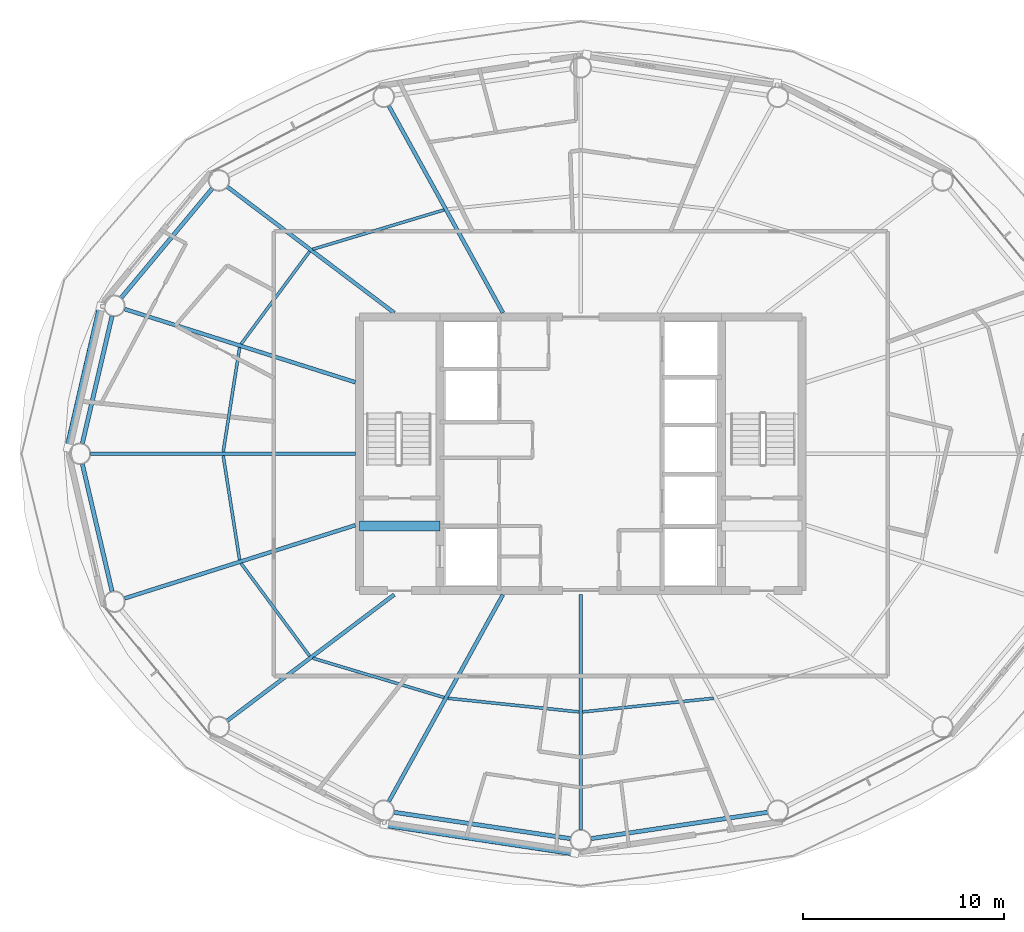
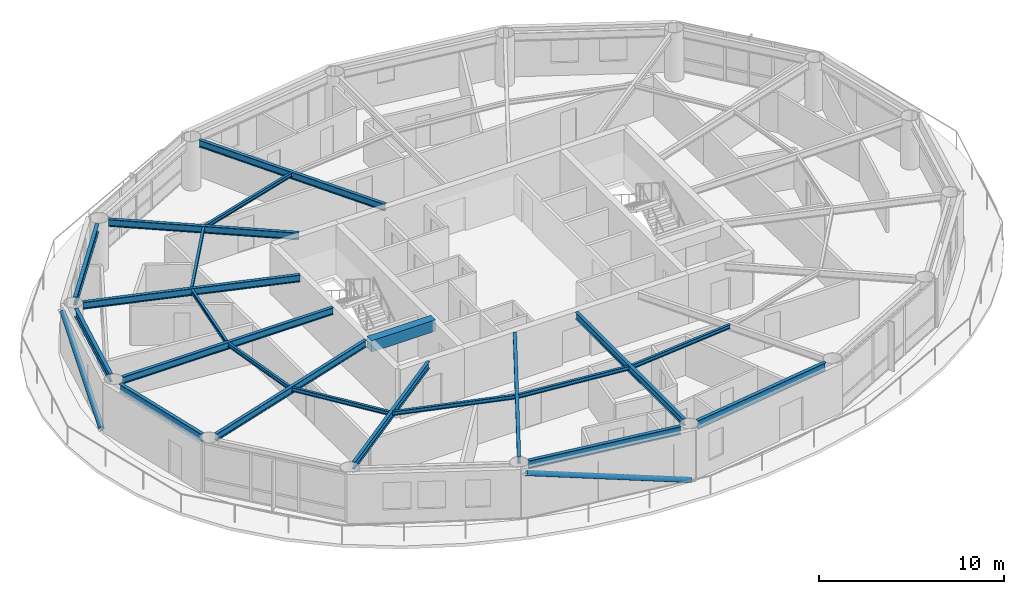
# One storey, part 4 of 24: 22 beams, 2 members.
"""IFC4 building model written with IfcOpenShell, lengths in metres."""

from ifc_helpers import new_model, si_unit, direction, frame, origin, origin_2d, place, context, subcontext, project, spatial, rectangle, hollow_circle, i_section, extrude, material, material_profile, profile_set, type_object, element, save


model = new_model("IFC4")

# Units and contexts
model_context = context("Model", 3, precision=1e-05, world=origin(), true_north=direction((0.0, 1.0)))
body_context = subcontext(model_context, "Body", "Model", "MODEL_VIEW")
ifc_project = project(units=[si_unit("LENGTHUNIT", "METRE"), si_unit("AREAUNIT", "SQUARE_METRE"), si_unit("VOLUMEUNIT", "CUBIC_METRE"), si_unit("PLANEANGLEUNIT", "RADIAN"), si_unit("MASSUNIT", "GRAM", prefix="KILO")], contexts=[model_context])

# Site, building, storey
site_placement = place(None, origin())
site = spatial("IfcSite", under=ifc_project, at=site_placement, CompositionType="ELEMENT")
building_placement = place(site_placement, origin())
building = spatial("IfcBuilding", under=site, at=building_placement, Name="Sarneth Arch Tower", CompositionType="ELEMENT")
storey_placement = place(building_placement, frame((0.0, 0.0, 253.199951171875)))
storey = spatial("IfcBuildingStorey", under=building, at=storey_placement, Name="L65", CompositionType="ELEMENT", Elevation=253.199951171875)

# Beams
ifc_material_1 = material(Name="Steel S355", Category="steel")
ifc_material_profile_1 = material_profile(ifc_material_1, i_section(OverallWidth=0.14794921875, OverallDepth=0.26611328125, WebThickness=0.007568359375, FlangeThickness=0.012939453125, FilletRadius=0.012939453125, at=origin_2d()), Name="W250x44.8")
ifc_profile_set_1 = profile_set([ifc_material_profile_1], Name="Steel S355")
beam_type_1 = type_object("IfcBeamType", Name="BM-JOIST-250", PredefinedType="JOIST", material=ifc_profile_set_1)
beam_1_placement = place(storey_placement, frame((41.20751953125, 54.11181640625, 3.116943359375), z_axis=(-0.957984908347, -0.286818610589, 0.0), x_axis=(0.286818610589, -0.957984908347, 0.0)))
element("IfcBeam", 1, at=beam_1_placement, inside=storey, type_object=beam_type_1, Name="L65 Secondary floor joist 06", PredefinedType="JOIST", context=body_context, shape_type="SweptSolid", body=[
    extrude(i_section(OverallWidth=0.14794921875, OverallDepth=0.26611328125, WebThickness=0.007568359375, FlangeThickness=0.012939453125, FilletRadius=0.012939453125, at=origin_2d()), origin(), (0.0, 0.0, 1.0), 6.81396484375),
])
beam_2_placement = place(storey_placement, frame((34.53076171875, 52.052734375, 3.116943359375), z_axis=(-0.594853468946, -0.803834156081, 0.0), x_axis=(0.803834156081, -0.594853468946, 0.0)))
element("IfcBeam", 2, at=beam_2_placement, inside=storey, type_object=beam_type_1, Name="L65 Secondary floor joist 07", PredefinedType="JOIST", context=body_context, shape_type="SweptSolid", body=[
    extrude(i_section(OverallWidth=0.14794921875, OverallDepth=0.26611328125, WebThickness=0.007568359375, FlangeThickness=0.012939453125, FilletRadius=0.012939453125, at=origin_2d()), origin(), (0.0, 0.0, 1.0), 5.72900390625),
])
for number, where, z_axis, x_axis, name in (
    (3, (31.05078125, 47.275390625, 3.116943359375), (-0.155393595615, -0.987852635995, 0.0), (0.987852635995, -0.155393595615, 0.0), "L65 Secondary floor joist 08"),
    (4, (30.23583984375, 41.9052734375, 3.116943359375), (0.155393595615, -0.987852635995, 0.0), (0.987852635995, 0.155393595615, 0.0), "L65 Secondary floor joist 09"),
):
    element("IfcBeam", number, at=place(storey_placement, frame(where, z_axis=z_axis, x_axis=x_axis)), inside=storey, type_object=beam_type_1, Name=name, PredefinedType="JOIST", context=body_context, shape_type="SweptSolid", body=[
        extrude(i_section(OverallWidth=0.14794921875, OverallDepth=0.26611328125, WebThickness=0.007568359375, FlangeThickness=0.012939453125, FilletRadius=0.012939453125, at=origin_2d()), origin(), (0.0, 0.0, 1.0), 5.244384765625),
    ])
beam_3_placement = place(storey_placement, frame((31.122802734375, 36.552490234375, 3.116943359375), z_axis=(0.594853468946, -0.803834156081, 0.0), x_axis=(0.803834156081, 0.594853468946, 0.0)))
element("IfcBeam", 5, at=beam_3_placement, inside=storey, type_object=beam_type_1, Name="L65 Secondary floor joist 10", PredefinedType="JOIST", context=body_context, shape_type="SweptSolid", body=[
    extrude(i_section(OverallWidth=0.14794921875, OverallDepth=0.26611328125, WebThickness=0.007568359375, FlangeThickness=0.012939453125, FilletRadius=0.012939453125, at=origin_2d()), origin(), (0.0, 0.0, 1.0), 5.72900390625),
])
beam_4_placement = place(storey_placement, frame((34.679931640625, 31.842529296875, 3.116943359375), z_axis=(0.957984908347, -0.286818610589, 0.0), x_axis=(0.286818610589, 0.957984908347, 0.0)))
element("IfcBeam", 6, at=beam_4_placement, inside=storey, type_object=beam_type_1, Name="L65 Secondary floor joist 11", PredefinedType="JOIST", context=body_context, shape_type="SweptSolid", body=[
    extrude(i_section(OverallWidth=0.14794921875, OverallDepth=0.26611328125, WebThickness=0.007568359375, FlangeThickness=0.012939453125, FilletRadius=0.012939453125, at=origin_2d()), origin(), (0.0, 0.0, 1.0), 6.81396484375),
])
for number, where, z_axis, x_axis, name in (
    (7, (41.39501953125, 29.8505859375, 3.116943359375), (0.994616086198, -0.103628379682, 0.0), (0.103628379682, 0.994616086198, 0.0), "L65 Secondary floor joist 12"),
    (8, (48.095458984375, 29.17236328125, 3.116943359375), (0.994616086198, 0.103628379682, 0.0), (-0.103628379682, 0.994616086198, 0.0), "L65 Secondary floor joist 13"),
):
    element("IfcBeam", number, at=place(storey_placement, frame(where, z_axis=z_axis, x_axis=x_axis)), inside=storey, type_object=beam_type_1, Name=name, PredefinedType="JOIST", context=body_context, shape_type="SweptSolid", body=[
        extrude(i_section(OverallWidth=0.14794921875, OverallDepth=0.26611328125, WebThickness=0.007568359375, FlangeThickness=0.012939453125, FilletRadius=0.012939453125, at=origin_2d()), origin(), (0.0, 0.0, 1.0), 6.544677734375),
    ])
ifc_material_2 = material(Name="Concrete C50/60", Category="concrete")
ifc_material_profile_2 = material_profile(ifc_material_2, rectangle(XDim=0.5, YDim=0.75, at=origin_2d()), Name="RC-500x750")
ifc_profile_set_2 = profile_set([ifc_material_profile_2], Name="Concrete C50/60")
beam_type_2 = type_object("IfcBeamType", Name="BM-LINTEL-RC", PredefinedType="LINTEL", material=ifc_profile_set_2)
beam_5_placement = place(storey_placement, frame((37.0, 38.39990234375, 2.875), z_axis=(1.0, 0.0, 0.0), x_axis=(0.0, 1.0, 0.0)))
element("IfcBeam", 9, at=beam_5_placement, inside=storey, type_object=beam_type_2, Name="L65 Core coupling lintel W", PredefinedType="LINTEL", context=body_context, shape_type="SweptSolid", body=[
    extrude(rectangle(XDim=0.5, YDim=0.75, at=origin_2d()), origin(), (0.0, 0.0, 1.0), 4.0),
])
ifc_material_3 = material(Name="Steel S355", Category="steel")
ifc_material_profile_3 = material_profile(ifc_material_3, i_section(OverallWidth=0.19189453125, OverallDepth=0.462890625, WebThickness=0.010498046875, FlangeThickness=0.017578125, FilletRadius=0.01806640625, at=origin_2d()), Name="W460x89")
ifc_profile_set_3 = profile_set([ifc_material_profile_3], Name="Steel S355")
beam_type_3 = type_object("IfcBeamType", Name="BM-RAD-460B", PredefinedType="BEAM", material=ifc_profile_set_3)
beam_6_placement = place(storey_placement, frame((44.13623046875, 49.0, 3.0185546875), z_axis=(-0.483225760768, 0.875495781903, 0.0), x_axis=(-0.875495781903, -0.483225760768, 0.0)))
element("IfcBeam", 10, at=beam_6_placement, inside=storey, type_object=beam_type_3, Name="L65 Radial floor girder 06", PredefinedType="BEAM", context=body_context, shape_type="SweptSolid", body=[
    extrude(i_section(OverallWidth=0.19189453125, OverallDepth=0.462890625, WebThickness=0.010498046875, FlangeThickness=0.017578125, FilletRadius=0.01806640625, at=origin_2d()), origin(), (0.0, 0.0, 1.0), 11.740478515625),
])
beam_7_placement = place(storey_placement, frame((38.73193359375, 49.0, 3.0185546875), z_axis=(-0.79797308069, 0.60269309146, 0.0), x_axis=(-0.60269309146, -0.79797308069, 0.0)))
element("IfcBeam", 11, at=beam_7_placement, inside=storey, type_object=beam_type_3, Name="L65 Radial floor girder 07", PredefinedType="BEAM", context=body_context, shape_type="SweptSolid", body=[
    extrude(i_section(OverallWidth=0.19189453125, OverallDepth=0.462890625, WebThickness=0.010498046875, FlangeThickness=0.017578125, FilletRadius=0.01806640625, at=origin_2d()), origin(), (0.0, 0.0, 1.0), 10.38671875),
])
beam_8_placement = place(storey_placement, frame((36.800048828125, 45.5517578125, 3.0185546875), z_axis=(-0.953216092177, 0.302289731243, 0.0), x_axis=(-0.302289731243, -0.953216092177, 0.0)))
element("IfcBeam", 12, at=beam_8_placement, inside=storey, type_object=beam_type_3, Name="L65 Radial floor girder 08", PredefinedType="BEAM", context=body_context, shape_type="SweptSolid", body=[
    extrude(i_section(OverallWidth=0.19189453125, OverallDepth=0.462890625, WebThickness=0.010498046875, FlangeThickness=0.017578125, FilletRadius=0.01806640625, at=origin_2d()), origin(), (0.0, 0.0, 1.0), 12.031494140625),
])
beam_9_placement = place(storey_placement, frame((36.800048828125, 42.0, 3.0185546875), z_axis=(-1.0, 0.0, 0.0), x_axis=(0.0, -1.0, 0.0)))
element("IfcBeam", 13, at=beam_9_placement, inside=storey, type_object=beam_type_3, Name="L65 Radial floor girder 09", PredefinedType="BEAM", context=body_context, shape_type="SweptSolid", body=[
    extrude(i_section(OverallWidth=0.19189453125, OverallDepth=0.462890625, WebThickness=0.010498046875, FlangeThickness=0.017578125, FilletRadius=0.01806640625, at=origin_2d()), origin(), (0.0, 0.0, 1.0), 13.158203125),
])
beam_10_placement = place(storey_placement, frame((36.800048828125, 38.4482421875, 3.0185546875), z_axis=(-0.953216092177, -0.302289731243, 0.0), x_axis=(0.302289731243, -0.953216092177, 0.0)))
element("IfcBeam", 14, at=beam_10_placement, inside=storey, type_object=beam_type_3, Name="L65 Radial floor girder 10", PredefinedType="BEAM", context=body_context, shape_type="SweptSolid", body=[
    extrude(i_section(OverallWidth=0.19189453125, OverallDepth=0.462890625, WebThickness=0.010498046875, FlangeThickness=0.017578125, FilletRadius=0.01806640625, at=origin_2d()), origin(), (0.0, 0.0, 1.0), 12.031494140625),
])
beam_11_placement = place(storey_placement, frame((38.73193359375, 35.0, 3.0185546875), z_axis=(-0.79797308069, -0.60269309146, 0.0), x_axis=(0.60269309146, -0.79797308069, 0.0)))
element("IfcBeam", 15, at=beam_11_placement, inside=storey, type_object=beam_type_3, Name="L65 Radial floor girder 11", PredefinedType="BEAM", context=body_context, shape_type="SweptSolid", body=[
    extrude(i_section(OverallWidth=0.19189453125, OverallDepth=0.462890625, WebThickness=0.010498046875, FlangeThickness=0.017578125, FilletRadius=0.01806640625, at=origin_2d()), origin(), (0.0, 0.0, 1.0), 10.38671875),
])
beam_12_placement = place(storey_placement, frame((44.13623046875, 35.0, 3.0185546875), z_axis=(-0.483225760768, -0.875495781903, 0.0), x_axis=(0.875495781903, -0.483225760768, 0.0)))
element("IfcBeam", 16, at=beam_12_placement, inside=storey, type_object=beam_type_3, Name="L65 Radial floor girder 12", PredefinedType="BEAM", context=body_context, shape_type="SweptSolid", body=[
    extrude(i_section(OverallWidth=0.19189453125, OverallDepth=0.462890625, WebThickness=0.010498046875, FlangeThickness=0.017578125, FilletRadius=0.01806640625, at=origin_2d()), origin(), (0.0, 0.0, 1.0), 11.740478515625),
])
beam_13_placement = place(storey_placement, frame((48.0, 35.0, 3.0185546875), z_axis=(0.0, -1.0, 0.0), x_axis=(1.0, 0.0, 0.0)))
element("IfcBeam", 17, at=beam_13_placement, inside=storey, type_object=beam_type_3, Name="L65 Radial floor girder 13", PredefinedType="BEAM", context=body_context, shape_type="SweptSolid", body=[
    extrude(i_section(OverallWidth=0.19189453125, OverallDepth=0.462890625, WebThickness=0.010498046875, FlangeThickness=0.017578125, FilletRadius=0.01806640625, at=origin_2d()), origin(), (0.0, 0.0, 1.0), 11.675048828125),
])
ifc_material_4 = material(Name="Steel S355", Category="steel")
ifc_material_profile_4 = material_profile(ifc_material_4, i_section(OverallWidth=0.2109375, OverallDepth=0.5390625, WebThickness=0.01171875, FlangeThickness=0.018798828125, FilletRadius=0.01806640625, at=origin_2d()), Name="W530x109")
ifc_profile_set_4 = profile_set([ifc_material_profile_4], Name="Steel S355")
beam_type_4 = type_object("IfcBeamType", Name="BM-RAD-530B", PredefinedType="BEAM", material=ifc_profile_set_4)
beam_14_placement = place(storey_placement, frame((29.6884765625, 55.17333984375, 2.98046875), z_axis=(-0.640364654985, -0.76807103099, 0.0), x_axis=(0.76807103099, -0.640364654985, 0.0)))
element("IfcBeam", 18, at=beam_14_placement, inside=storey, type_object=beam_type_4, Name="L65 Perimeter spandrel beam 07", PredefinedType="BEAM", context=body_context, shape_type="SweptSolid", body=[
    extrude(i_section(OverallWidth=0.2109375, OverallDepth=0.5390625, WebThickness=0.01171875, FlangeThickness=0.018798828125, FilletRadius=0.01806640625, at=origin_2d()), origin(), (0.0, 0.0, 1.0), 7.06005859375),
])
for number, where, z_axis, x_axis, name in (
    (19, (24.7119140625, 48.836181640625, 2.98046875), (-0.227230803906, -0.973840932471, 0.0), (0.973840932471, -0.227230803906, 0.0), "L65 Perimeter spandrel beam 08"),
    (20, (23.236083984375, 41.48876953125, 2.98046875), (0.227230803906, -0.973840932471, 0.0), (0.973840932471, 0.227230803906, 0.0), "L65 Perimeter spandrel beam 09"),
):
    element("IfcBeam", number, at=place(storey_placement, frame(where, z_axis=z_axis, x_axis=x_axis)), inside=storey, type_object=beam_type_4, Name=name, PredefinedType="BEAM", context=body_context, shape_type="SweptSolid", body=[
        extrude(i_section(OverallWidth=0.2109375, OverallDepth=0.5390625, WebThickness=0.01171875, FlangeThickness=0.018798828125, FilletRadius=0.01806640625, at=origin_2d()), origin(), (0.0, 0.0, 1.0), 6.494873046875),
    ])
for number, where, z_axis, x_axis, name in (
    (21, (38.728515625, 24.18408203125, 2.98046875), (0.989038715098, -0.147656425652, 0.0), (0.147656425652, 0.989038715098, 0.0), "L65 Perimeter spandrel beam 12"),
    (22, (48.519287109375, 22.87744140625, 2.98046875), (0.989038715098, 0.147656425652, 0.0), (-0.147656425652, 0.989038715098, 0.0), "L65 Perimeter spandrel beam 13"),
):
    element("IfcBeam", number, at=place(storey_placement, frame(where, z_axis=z_axis, x_axis=x_axis)), inside=storey, type_object=beam_type_4, Name=name, PredefinedType="BEAM", context=body_context, shape_type="SweptSolid", body=[
        extrude(i_section(OverallWidth=0.2109375, OverallDepth=0.5390625, WebThickness=0.01171875, FlangeThickness=0.018798828125, FilletRadius=0.01806640625, at=origin_2d()), origin(), (0.0, 0.0, 1.0), 8.84912109375),
    ])

# Members
ifc_material_5 = material(Name="Steel S355", Category="steel")
ifc_material_profile_5 = material_profile(ifc_material_5, hollow_circle(Radius=0.162109375, WallThickness=0.012451171875, at=origin_2d()), Name="CHS324x12.5")
ifc_profile_set_5 = profile_set([ifc_material_profile_5], Name="Steel S355")
member_type = type_object("IfcMemberType", Name="MEM-DIAG-BR3", PredefinedType="BRACE", material=ifc_profile_set_5)
member_1_placement = place(storey_placement, frame((22.5234375, 42.292236328125, 0.02001953125), z_axis=(0.209034795061, 0.903576851917, 0.373969687452), x_axis=(-0.974268900284, 0.225388797281, 0.0)))
element("IfcMember", 23, at=member_1_placement, inside=storey, type_object=member_type, Name="L65 Perimeter frame diagonal 08", PredefinedType="BRACE", context=body_context, shape_type="SweptSolid", body=[
    extrude(hollow_circle(Radius=0.162109375, WallThickness=0.012451171875, at=origin_2d()), origin(), (0.0, 0.0, 1.0), 7.772705078125),
])
member_2_placement = place(storey_placement, frame((47.703369140625, 22.16455078125, 0.02001953125), z_axis=(-0.946122030473, 0.142462951204, 0.29078757021), x_axis=(-0.148897148305, -0.988852688335, 0.0)))
element("IfcMember", 24, at=member_2_placement, inside=storey, type_object=member_type, Name="L65 Perimeter frame diagonal 12", PredefinedType="BRACE", context=body_context, shape_type="SweptSolid", body=[
    extrude(hollow_circle(Radius=0.162109375, WallThickness=0.012451171875, at=origin_2d()), origin(), (0.0, 0.0, 1.0), 9.99609375),
])

save(model, "model.ifc")
